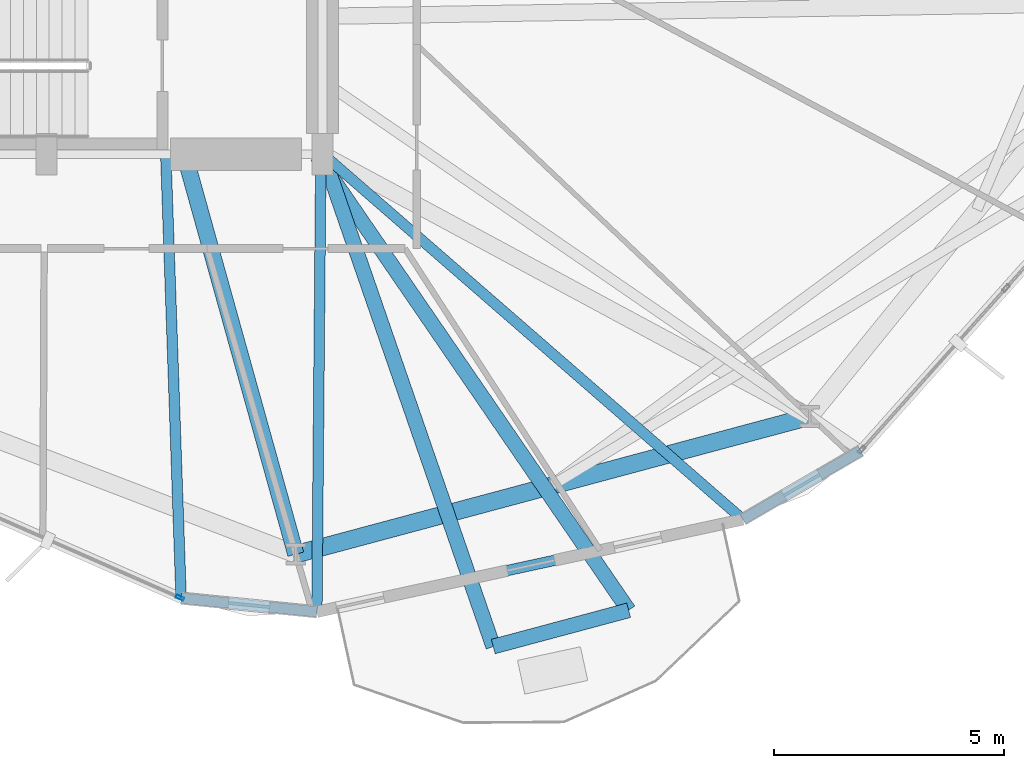
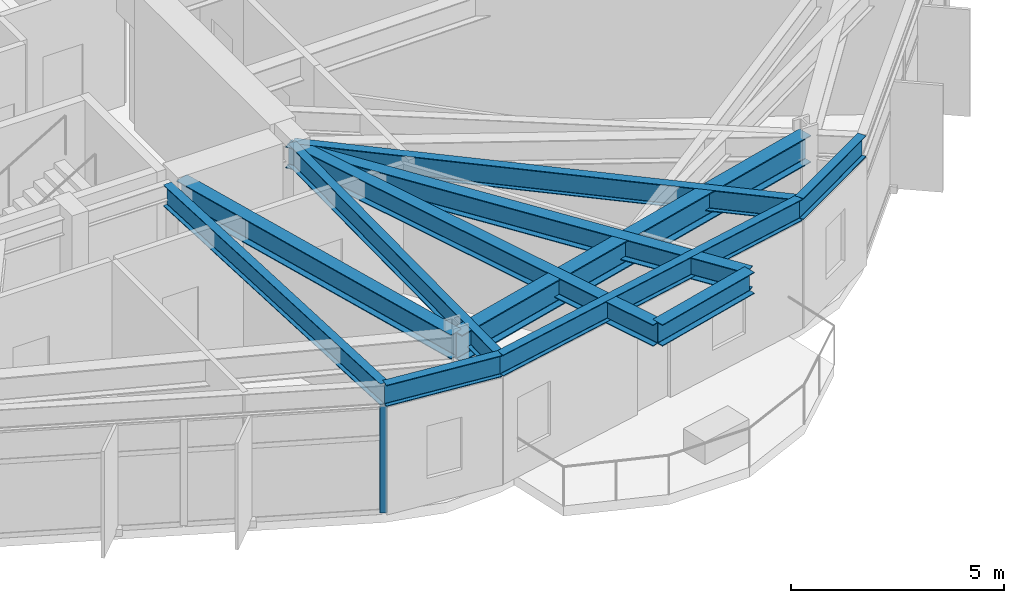
# One storey, part 4 of 22: 11 beams, 1 member, 1 element without a shape of its own.
"""IFC4 building model written with IfcOpenShell, lengths in metres."""

import ifcopenshell
import ifcopenshell.guid

model = None  # the IFC model being written
_history = None  # IfcOwnerHistory: only IFC2X3 demands one
_inside = {}  # id of a spatial element -> (the spatial element, [elements in it])
_under = {}  # id of a project, library or spatial element -> (it, [spatial elements below it])
_declared = {}  # id of a project -> (the project, [libraries it declares])
_typed = {}  # id of a type object -> (the type object, [elements of that type])
_made_of = {}  # id of a material, layer set ... -> (it, [elements and type objects made of it])


def new_model(schema):
    """Start an empty IFC model of exactly this schema.

    Asked for "IFC4X3", IfcOpenShell would pick the latest addendum, in which some entities
    have other attributes; the version numbers below select the first issue.
    IFC2X3 requires an IfcOwnerHistory on every rooted entity: one is made here for all.
    """
    global model, _history
    if schema == "IFC4X3":
        model = ifcopenshell.file(schema_version=(4, 3, 0, 0))
    else:
        model = ifcopenshell.file(schema=schema)
    _inside.clear()
    _under.clear()
    _declared.clear()
    _typed.clear()
    _made_of.clear()
    _history = None
    if model.schema == "IFC2X3":
        org = make("IfcOrganization", Name="unknown")
        user = make(
            "IfcPersonAndOrganization",
            ThePerson=make("IfcPerson", FamilyName="unknown"),
            TheOrganization=org,
        )
        app = make(
            "IfcApplication",
            ApplicationDeveloper=org,
            Version="unknown",
            ApplicationFullName="unknown",
            ApplicationIdentifier="unknown",
        )
        _history = make(
            "IfcOwnerHistory",
            OwningUser=user,
            OwningApplication=app,
            ChangeAction="ADDED",
            CreationDate=0,
        )
    return model


def make(cls, **values):
    """One entity of the class cls with the attributes given. An attribute that is None is left unset."""
    return model.create_entity(
        cls, **{name: value for name, value in values.items() if value is not None}
    )


def rooted(cls, **values):
    """An entity with a GlobalId (a new one), such as an element, a storey or a relation."""
    return make(cls, GlobalId=ifcopenshell.guid.new(), OwnerHistory=_history, **values)


def si_unit(unit_type, name, prefix=None):
    """IfcSIUnit, for example si_unit("LENGTHUNIT", "METRE", prefix="MILLI")."""
    return make("IfcSIUnit", UnitType=unit_type, Prefix=prefix, Name=name)


def assignment(units):
    """IfcUnitAssignment: the units of a project."""
    return None if units is None else make("IfcUnitAssignment", Units=units)


def point(xyz):
    """IfcCartesianPoint."""
    return None if xyz is None else make("IfcCartesianPoint", Coordinates=xyz)


def direction(xyz):
    """IfcDirection."""
    return None if xyz is None else make("IfcDirection", DirectionRatios=xyz)


def frame(location, z_axis=None, x_axis=None):
    """IfcAxis2Placement3D, a coordinate frame: its origin and axes. An axis left out is left unset."""
    return make(
        "IfcAxis2Placement3D",
        Location=point(location),
        Axis=direction(z_axis),
        RefDirection=direction(x_axis),
    )


def frame_2d(location, x_axis=None):
    """IfcAxis2Placement2D, a coordinate frame in the plane: its origin and x axis."""
    return make(
        "IfcAxis2Placement2D", Location=point(location), RefDirection=direction(x_axis)
    )


def origin():
    """The frame at (0, 0, 0) with its axes left unset."""
    return frame((0.0, 0.0, 0.0))


def origin_2d():
    """The frame at (0, 0) in the plane with its x axis left unset."""
    return frame_2d((0.0, 0.0))


def place(relative_to, where):
    """IfcLocalPlacement: puts the frame where relative to a parent placement (None: the world)."""
    return make(
        "IfcLocalPlacement", PlacementRelTo=relative_to, RelativePlacement=where
    )


def context(
    kind, dimensions, precision=None, world=None, true_north=None, identifier=None
):
    """IfcGeometricRepresentationContext, for example the 3D "Model" context."""
    return make(
        "IfcGeometricRepresentationContext",
        ContextIdentifier=identifier,
        ContextType=kind,
        CoordinateSpaceDimension=dimensions,
        Precision=precision,
        WorldCoordinateSystem=world,
        TrueNorth=true_north,
    )


def subcontext(parent, identifier, kind, view, scale=None):
    """IfcGeometricRepresentationSubContext, for example "Body" below "Model"."""
    return make(
        "IfcGeometricRepresentationSubContext",
        ContextIdentifier=identifier,
        ContextType=kind,
        ParentContext=parent,
        TargetScale=scale,
        TargetView=view,
    )


def project(units=None, contexts=None):
    """IfcProject with its units and contexts."""
    return rooted(
        "IfcProject",
        Name="project",
        RepresentationContexts=contexts,
        UnitsInContext=assignment(units),
    )


def spatial(cls, under=None, at=None, **own):
    """A site, building, storey or space (cls), placed at a placement, below another one or the project."""
    s = rooted(cls, ObjectPlacement=at, **own)
    if under is not None:
        _under.setdefault(under.id(), (under, []))[1].append(s)
    return s


def profile(cls, at=None, kind="AREA", **sizes):
    """A parametric profile (cls). Its sizes go by their IFC names, for example OverallWidth=200.0."""
    return make(cls, ProfileType=kind, Position=at, **sizes)


def hollow_rectangle(**sizes):
    """IfcRectangleHollowProfileDef."""
    return profile("IfcRectangleHollowProfileDef", **sizes)


def i_section(**sizes):
    """IfcIShapeProfileDef."""
    return profile("IfcIShapeProfileDef", **sizes)


def extrude(swept, where, along, depth):
    """IfcExtrudedAreaSolid: the profile swept, set in the frame where, extruded along a direction by depth."""
    return make(
        "IfcExtrudedAreaSolid",
        SweptArea=swept,
        Position=where,
        ExtrudedDirection=direction(along),
        Depth=depth,
    )


def shape(context_of_items, identifier, shape_type, items):
    """IfcShapeRepresentation: the items that make up one representation, for example the "Body"."""
    return make(
        "IfcShapeRepresentation",
        ContextOfItems=context_of_items,
        RepresentationIdentifier=identifier,
        RepresentationType=shape_type,
        Items=items,
    )


def material(Name=None, Category=None):
    """IfcMaterial."""
    return make("IfcMaterial", Name=Name, Category=Category)


def layer(
    of_material, thickness, ventilated=None, Name=None, Category=None, Priority=None
):
    """IfcMaterialLayer: one layer of a wall or slab, of a material (None: an air gap)."""
    return make(
        "IfcMaterialLayer",
        Material=of_material,
        LayerThickness=thickness,
        IsVentilated=ventilated,
        Name=Name,
        Category=Category,
        Priority=Priority,
    )


def layer_set(layers, Name=None):
    """IfcMaterialLayerSet."""
    return make("IfcMaterialLayerSet", MaterialLayers=layers, LayerSetName=Name)


def material_profile(
    of_material, cross_section, Name=None, Category=None, Priority=None
):
    """IfcMaterialProfile: a cross section and its material."""
    return make(
        "IfcMaterialProfile",
        Name=Name,
        Material=of_material,
        Profile=cross_section,
        Priority=Priority,
        Category=Category,
    )


def profile_set(profiles, Name=None, composite=None):
    """IfcMaterialProfileSet."""
    return make(
        "IfcMaterialProfileSet",
        Name=Name,
        MaterialProfiles=profiles,
        CompositeProfile=composite,
    )


def made_of(thing, what):
    """Note that an element or type object is made of a material, layer set ...; save() writes the relation."""
    if what is not None:
        _made_of.setdefault(what.id(), (what, []))[1].append(thing)
    return thing


def type_object(cls, material=None, **own):
    """A type object (cls), such as IfcWallType, which elements share."""
    return made_of(rooted(cls, **own), material)


def element(
    cls,
    number,
    at=None,
    inside=None,
    cuts=None,
    type_object=None,
    material=None,
    context=None,
    identifier="Body",
    shape_type=None,
    held_by="IfcProductDefinitionShape",
    body=None,
    shapes=None,
    **own,
):
    """One element of the class cls, such as IfcWall. Its Tag is "e" and its number.

    at: its placement. inside: the storey or other place that contains it. cuts: it is an
    opening in that element (IfcRelVoidsElement). A single representation is given by context,
    identifier, shape_type and body (its items); several are given by shapes. held_by: the class
    of the entity that holds the representations. save() writes the other relations.
    """
    e = rooted(cls, Tag="e%d" % number, ObjectPlacement=at, **own)
    if body is not None:
        shapes = [shape(context, identifier, shape_type, body)]
    if shapes is not None:
        e.Representation = make(held_by, Representations=shapes)
    if inside is not None:
        _inside.setdefault(inside.id(), (inside, []))[1].append(e)
    if cuts is not None:
        rooted(
            "IfcRelVoidsElement", RelatingBuildingElement=cuts, RelatedOpeningElement=e
        )
    if type_object is not None:
        _typed.setdefault(type_object.id(), (type_object, []))[1].append(e)
    return made_of(e, material)


def aggregate(whole, parts):
    """IfcRelAggregates: a whole, such as a stair, and the parts it consists of."""
    return rooted("IfcRelAggregates", RelatingObject=whole, RelatedObjects=parts)


def save(model, path):
    """Write the relations noted so far, then the file.

    IfcRelAggregates (storeys below a building ...), IfcRelContainedInSpatialStructure (elements
    in a storey), IfcRelDefinesByType, IfcRelAssociatesMaterial and IfcRelDeclares: one each for
    every whole, place, type object, material and project.
    """
    for whole, parts in _under.values():
        aggregate(whole, parts)
    for where, things in _inside.values():
        rooted(
            "IfcRelContainedInSpatialStructure",
            RelatedElements=things,
            RelatingStructure=where,
        )
    for kind, things in _typed.values():
        rooted("IfcRelDefinesByType", RelatedObjects=things, RelatingType=kind)
    for what, things in _made_of.values():
        rooted("IfcRelAssociatesMaterial", RelatedObjects=things, RelatingMaterial=what)
    for by, libraries in _declared.values():
        rooted("IfcRelDeclares", RelatingContext=by, RelatedDefinitions=libraries)
    model.write(path)


model = new_model("IFC4")

# Units and contexts
model_context = context("Model", 3, precision=1e-05, world=origin(), true_north=direction((0.0, 1.0)))
body_context = subcontext(model_context, "Body", "Model", "MODEL_VIEW")
ifc_project = project(units=[si_unit("LENGTHUNIT", "METRE"), si_unit("AREAUNIT", "SQUARE_METRE"), si_unit("VOLUMEUNIT", "CUBIC_METRE"), si_unit("PLANEANGLEUNIT", "RADIAN"), si_unit("MASSUNIT", "GRAM", prefix="KILO")], contexts=[model_context])

# Site, building, storey
site_placement = place(None, origin())
site = spatial("IfcSite", under=ifc_project, at=site_placement, CompositionType="ELEMENT")
building_placement = place(site_placement, origin())
building = spatial("IfcBuilding", under=site, at=building_placement, Name="Soratama Intermodal Tower", CompositionType="ELEMENT")
storey_placement = place(building_placement, frame((0.0, 0.0, 74.60009765625)))
storey = spatial("IfcBuildingStorey", under=building, at=storey_placement, Name="L17", CompositionType="ELEMENT", Elevation=74.60009765625)

# Beams
ifc_material_1 = material(Name="Structural steel ASTM A992 Grade 50", Category="steel")
ifc_material_profile_1 = material_profile(ifc_material_1, i_section(OverallWidth=0.324951171875, OverallDepth=0.615966796875, WebThickness=0.013916015625, FlangeThickness=0.021484375, FilletRadius=0.013916015625, at=origin_2d()), Name="W24X117")
ifc_profile_set_1 = profile_set([ifc_material_profile_1], Name="Structural steel ASTM A992 Grade 50")
beam_type_1 = type_object("IfcBeamType", Name="BM-CANT-W24X117", PredefinedType="BEAM", material=ifc_profile_set_1)
beam_1_placement = place(storey_placement, frame((48.31298828125, 4.299072265625, 3.391845703125), z_axis=(0.965929817404, 0.2588041496, 0.0), x_axis=(-0.2588041496, 0.965929817404, 0.0)))
element("IfcBeam", 1, at=beam_1_placement, inside=storey, type_object=beam_type_1, Name="BM-L17-CBHDR-3", PredefinedType="BEAM", context=body_context, shape_type="SweptSolid", body=[
    extrude(i_section(OverallWidth=0.324951171875, OverallDepth=0.615966796875, WebThickness=0.013916015625, FlangeThickness=0.021484375, FilletRadius=0.013916015625, at=origin_2d()), origin(), (0.0, 0.0, 1.0), 3.0478515625),
])
beam_2_placement = place(storey_placement, frame((44.613037109375, 14.989013671875, 3.391845703125), z_axis=(0.327077948081, -0.944997362895, 0.0), x_axis=(0.944997362895, 0.327077948081, 0.0)))
element("IfcBeam", 2, at=beam_2_placement, inside=storey, type_object=beam_type_1, Name="BM-L17-CANT-3-1", PredefinedType="BEAM", context=body_context, shape_type="SweptSolid", body=[
    extrude(i_section(OverallWidth=0.324951171875, OverallDepth=0.615966796875, WebThickness=0.013916015625, FlangeThickness=0.021484375, FilletRadius=0.013916015625, at=origin_2d()), origin(), (0.0, 0.0, 1.0), 11.312255859375),
])
beam_3_placement = place(storey_placement, frame((44.48095703125, 14.967041015625, 3.391845703125), z_axis=(0.565633303752, -0.824656877548, 0.0), x_axis=(0.824656877548, 0.565633303752, 0.0)))
element("IfcBeam", 3, at=beam_3_placement, inside=storey, type_object=beam_type_1, Name="BM-L17-CANT-3-2", PredefinedType="BEAM", context=body_context, shape_type="SweptSolid", body=[
    extrude(i_section(OverallWidth=0.324951171875, OverallDepth=0.615966796875, WebThickness=0.013916015625, FlangeThickness=0.021484375, FilletRadius=0.013916015625, at=origin_2d()), origin(), (0.0, 0.0, 1.0), 11.979736328125),
])
ifc_material_2 = material(Name="Structural steel ASTM A992 Grade 50", Category="steel")
ifc_material_profile_2 = material_profile(ifc_material_2, i_section(OverallWidth=0.35498046875, OverallDepth=0.695068359375, WebThickness=0.015380859375, FlangeThickness=0.02490234375, FilletRadius=0.01611328125, at=origin_2d()), Name="W27X146")
ifc_profile_set_2 = profile_set([ifc_material_profile_2], Name="Structural steel ASTM A992 Grade 50")
beam_type_2 = type_object("IfcBeamType", Name="BM-RING-W27X146", PredefinedType="BEAM", material=ifc_profile_set_2)
beam_4_placement = place(storey_placement, frame((41.60009765625, 15.0, 3.352294921875), z_axis=(0.26814752121, -0.963377862974, 0.0), x_axis=(0.963377862974, 0.26814752121, 0.0)))
element("IfcBeam", 4, at=beam_4_placement, inside=storey, type_object=beam_type_2, Name="BM-L17-RAD-08", PredefinedType="BEAM", context=body_context, shape_type="SweptSolid", body=[
    extrude(i_section(OverallWidth=0.35498046875, OverallDepth=0.695068359375, WebThickness=0.015380859375, FlangeThickness=0.02490234375, FilletRadius=0.01611328125, at=origin_2d()), origin(), (0.0, 0.0, 1.0), 9.024658203125),
])
ifc_material_3 = material(Name="Structural steel ASTM A992 Grade 50", Category="steel")
ifc_material_profile_3 = material_profile(ifc_material_3, i_section(OverallWidth=0.382080078125, OverallDepth=0.779052734375, WebThickness=0.01806640625, FlangeThickness=0.030029296875, FilletRadius=0.01806640625, at=origin_2d()), Name="W30X191")
ifc_profile_set_3 = profile_set([ifc_material_profile_3], Name="Structural steel ASTM A992 Grade 50")
beam_type_3 = type_object("IfcBeamType", Name="BM-RING-W30X191", PredefinedType="BEAM", material=ifc_profile_set_3)
beam_5_placement = place(storey_placement, frame((44.02001953125, 6.305908203125, 3.310302734375), z_axis=(0.965935902196, 0.258781438376, 0.0), x_axis=(-0.258781438376, 0.965935902196, 0.0)))
element("IfcBeam", 5, at=beam_5_placement, inside=storey, type_object=beam_type_3, Name="BM-L17-RING-08", PredefinedType="BEAM", context=body_context, shape_type="SweptSolid", body=[
    extrude(i_section(OverallWidth=0.382080078125, OverallDepth=0.779052734375, WebThickness=0.01806640625, FlangeThickness=0.030029296875, FilletRadius=0.01806640625, at=origin_2d()), origin(), (0.0, 0.0, 1.0), 11.570068359375),
])
ifc_material_4 = material(Name="Structural steel ASTM A992 Grade 50", Category="steel")
ifc_material_profile_4 = material_profile(ifc_material_4, i_section(OverallWidth=0.22900390625, OverallDepth=0.612060546875, WebThickness=0.011962890625, FlangeThickness=0.01953125, FilletRadius=0.012939453125, at=origin_2d()), Name="W24X84")
ifc_profile_set_4 = profile_set([ifc_material_profile_4], Name="Structural steel ASTM A992 Grade 50")
beam_type_4 = type_object("IfcBeamType", Name="BM-SPN-W24X84", PredefinedType="SPANDREL", material=ifc_profile_set_4)
beam_6_placement = place(storey_placement, frame((41.527099609375, 5.35009765625, 3.393798828125), z_axis=(0.994972616311, -0.100147355392, 0.0), x_axis=(0.100147355392, 0.994972616311, 0.0)))
element("IfcBeam", 6, at=beam_6_placement, inside=storey, type_object=beam_type_4, Name="BS-L17-CRN07", PredefinedType="SPANDREL", context=body_context, shape_type="SweptSolid", body=[
    extrude(i_section(OverallWidth=0.22900390625, OverallDepth=0.612060546875, WebThickness=0.011962890625, FlangeThickness=0.01953125, FilletRadius=0.012939453125, at=origin_2d()), origin(), (0.0, 0.0, 1.0), 2.966796875),
])
beam_7_placement = place(storey_placement, frame((44.47900390625, 5.052978515625, 3.393798828125), z_axis=(0.977268813471, 0.21200392972, 0.0), x_axis=(-0.21200392972, 0.977268813471, 0.0)))
element("IfcBeam", 7, at=beam_7_placement, inside=storey, type_object=beam_type_4, Name="BS-L17-F08", PredefinedType="SPANDREL", context=body_context, shape_type="SweptSolid", body=[
    extrude(i_section(OverallWidth=0.22900390625, OverallDepth=0.612060546875, WebThickness=0.011962890625, FlangeThickness=0.01953125, FilletRadius=0.012939453125, at=origin_2d()), origin(), (0.0, 0.0, 1.0), 9.476318359375),
])
beam_8_placement = place(storey_placement, frame((53.739990234375, 7.06201171875, 3.393798828125), z_axis=(0.863951971713, 0.503574215556, 0.0), x_axis=(-0.503574215556, 0.863951971713, 0.0)))
element("IfcBeam", 8, at=beam_8_placement, inside=storey, type_object=beam_type_4, Name="BS-L17-CRN08", PredefinedType="SPANDREL", context=body_context, shape_type="SweptSolid", body=[
    extrude(i_section(OverallWidth=0.22900390625, OverallDepth=0.612060546875, WebThickness=0.011962890625, FlangeThickness=0.01953125, FilletRadius=0.012939453125, at=origin_2d()), origin(), (0.0, 0.0, 1.0), 2.966552734375),
])
ifc_material_5 = material(Name="Structural steel ASTM A992 Grade 50", Category="steel")
ifc_material_profile_5 = material_profile(ifc_material_5, i_section(OverallWidth=0.22900390625, OverallDepth=0.612060546875, WebThickness=0.011962890625, FlangeThickness=0.01953125, FilletRadius=0.012939453125, at=origin_2d()), Name="W24X84")
ifc_profile_set_5 = profile_set([ifc_material_profile_5], Name="Structural steel ASTM A992 Grade 50")
beam_type_5 = type_object("IfcBeamType", Name="BM-TIE-W24X84", PredefinedType="BEAM", material=ifc_profile_set_5)
beam_9_placement = place(storey_placement, frame((41.195068359375, 14.9599609375, 3.393798828125), z_axis=(0.034530485168, -0.999403644977, 0.0), x_axis=(0.999403644977, 0.034530485168, 0.0)))
element("IfcBeam", 9, at=beam_9_placement, inside=storey, type_object=beam_type_5, Name="BM-L17-TIE1-07", PredefinedType="BEAM", context=body_context, shape_type="SweptSolid", body=[
    extrude(i_section(OverallWidth=0.22900390625, OverallDepth=0.612060546875, WebThickness=0.011962890625, FlangeThickness=0.01953125, FilletRadius=0.012939453125, at=origin_2d()), origin(), (0.0, 0.0, 1.0), 9.615478515625),
])
beam_10_placement = place(storey_placement, frame((44.56494140625, 14.9599609375, 3.393798828125), z_axis=(-0.008674111178, -0.99996237919, 0.0), x_axis=(0.99996237919, -0.008674111178, 0.0)))
element("IfcBeam", 10, at=beam_10_placement, inside=storey, type_object=beam_type_5, Name="BM-L17-TIE0-08", PredefinedType="BEAM", context=body_context, shape_type="SweptSolid", body=[
    extrude(i_section(OverallWidth=0.22900390625, OverallDepth=0.612060546875, WebThickness=0.011962890625, FlangeThickness=0.01953125, FilletRadius=0.012939453125, at=origin_2d()), origin(), (0.0, 0.0, 1.0), 9.907470703125),
])
beam_11_placement = place(storey_placement, frame((44.6298828125, 14.987060546875, 3.393798828125), z_axis=(0.754473615204, -0.656330377144, 0.0), x_axis=(0.656330377144, 0.754473615204, 0.0)))
element("IfcBeam", 11, at=beam_11_placement, inside=storey, type_object=beam_type_5, Name="BM-L17-TIE1-08", PredefinedType="BEAM", context=body_context, shape_type="SweptSolid", body=[
    extrude(i_section(OverallWidth=0.22900390625, OverallDepth=0.612060546875, WebThickness=0.011962890625, FlangeThickness=0.01953125, FilletRadius=0.012939453125, at=origin_2d()), origin(), (0.0, 0.0, 1.0), 12.07470703125),
])

# Curtain wall, member
ifc_material_6 = material(Name="Double-glazed aluminium curtain wall", Category="aluminium")
ifc_layer = layer(ifc_material_6, 0.159912109375)
ifc_layer_set = layer_set([ifc_layer], Name="Double-glazed aluminium curtain wall")
curtain_wall_type = type_object("IfcCurtainWallType", Name="CW-SYS-2", PredefinedType="NOTDEFINED", material=ifc_layer_set)
curtain_wall_placement = place(storey_placement, origin())
curtain_wall = element("IfcCurtainWall", 12, at=curtain_wall_placement, inside=storey, type_object=curtain_wall_type, Name="L17 Faceted Curtain Wall F07", PredefinedType="NOTDEFINED")
ifc_material_7 = material(Name="Anodised aluminium AA 6063-T6", Category="aluminium")
ifc_material_profile_6 = material_profile(ifc_material_7, hollow_rectangle(XDim=0.074951171875, YDim=0.179931640625, WallThickness=0.006103515625, InnerFilletRadius=0.006103515625, OuterFilletRadius=0.011962890625, at=origin_2d()), Name="CWM180X75X6")
ifc_profile_set_6 = profile_set([ifc_material_profile_6], Name="Anodised aluminium AA 6063-T6")
member_type = type_object("IfcMemberType", Name="MT-CWM-2", PredefinedType="MULLION", material=ifc_profile_set_6)
member_placement = place(storey_placement, frame((41.499755859375, 5.3623046875, 0.0), z_axis=(0.0, 0.0, 1.0), x_axis=(0.402904100318, 0.915242200703, 0.0)))
member = element("IfcMember", 13, at=member_placement, type_object=member_type, Name="CW-2 mullion 3", PredefinedType="MULLION", context=body_context, shape_type="SweptSolid", body=[
    extrude(hollow_rectangle(XDim=0.074951171875, YDim=0.179931640625, WallThickness=0.006103515625, InnerFilletRadius=0.006103515625, OuterFilletRadius=0.011962890625, at=origin_2d()), origin(), (0.0, 0.0, 1.0), 3.078857421875),
])
aggregate(curtain_wall, [member])

save(model, "model.ifc")
